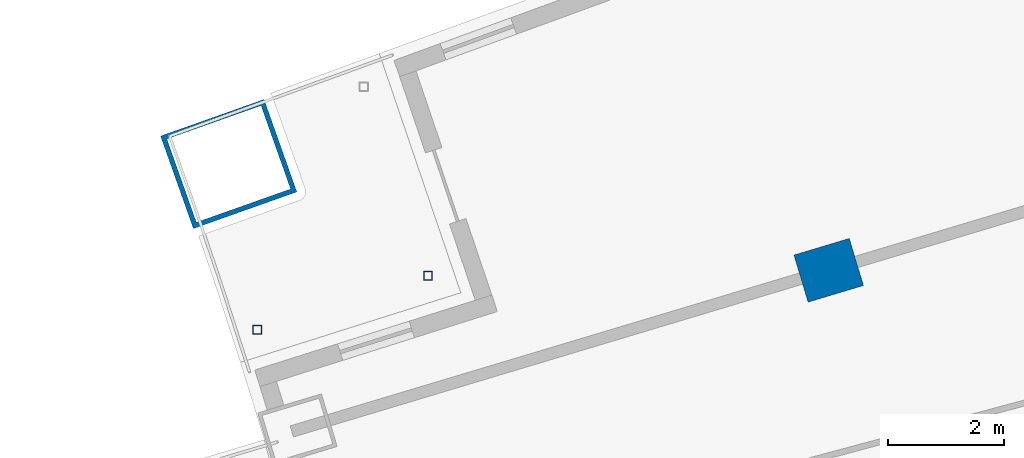
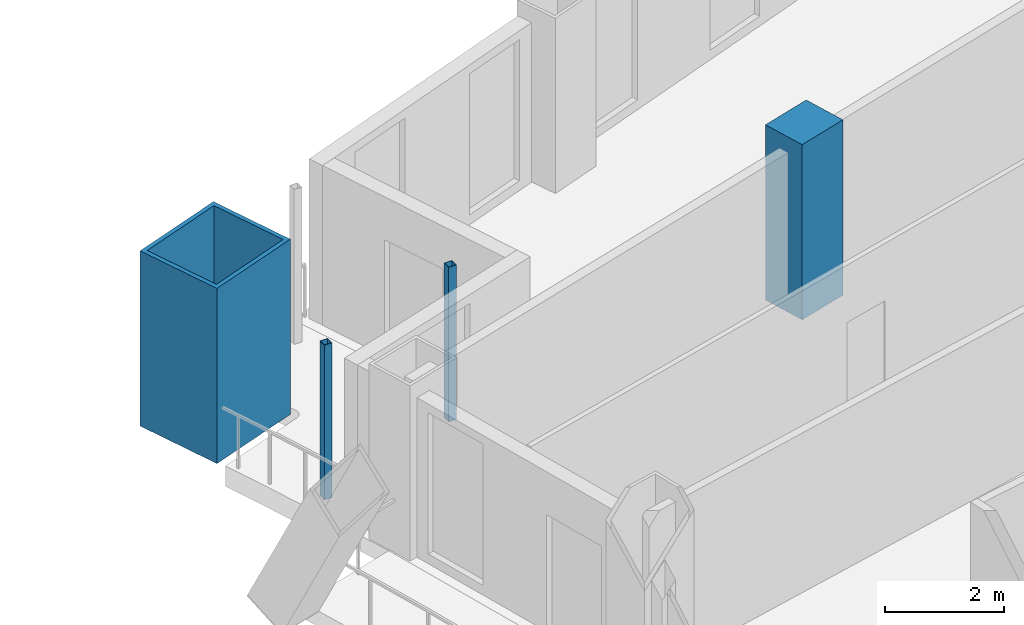
# One storey, part 7 of 25: 4 columns.
"""IFC4 building model written with IfcOpenShell, lengths in metres."""

from ifc_helpers import new_model, si_unit, direction, frame, origin, origin_2d, place, context, subcontext, project, spatial, rectangle, hollow_rectangle, extrude, material, material_profile, profile_set, type_object, element, save


model = new_model("IFC4")

# Units and contexts
model_context = context("Model", 3, precision=1e-05, world=origin(), true_north=direction((0.0, 1.0)))
body_context = subcontext(model_context, "Body", "Model", "MODEL_VIEW")
ifc_project = project(units=[si_unit("LENGTHUNIT", "METRE"), si_unit("AREAUNIT", "SQUARE_METRE"), si_unit("VOLUMEUNIT", "CUBIC_METRE"), si_unit("PLANEANGLEUNIT", "RADIAN"), si_unit("MASSUNIT", "GRAM", prefix="KILO")], contexts=[model_context])

# Site, building, storey
site_placement = place(None, origin())
site = spatial("IfcSite", under=ifc_project, at=site_placement, CompositionType="ELEMENT")
building_placement = place(site_placement, origin())
building = spatial("IfcBuilding", under=site, at=building_placement, Name="Alderwake Tower", CompositionType="ELEMENT")
storey_placement = place(building_placement, frame((0.0, 0.0, 114.800048828125)))
storey = spatial("IfcBuildingStorey", under=building, at=storey_placement, Name="L28", CompositionType="ELEMENT", Elevation=114.800048828125)

# Columns
ifc_material_1 = material(Name="Concrete C70/85", Category="concrete")
ifc_material_profile_1 = material_profile(ifc_material_1, rectangle(XDim=0.85009765625, YDim=1.0, at=origin_2d()), Name="RC 1000X850")
ifc_profile_set_1 = profile_set([ifc_material_profile_1], Name="Concrete C70/85")
column_type_1 = type_object("IfcColumnType", Name="Interior column Z2", PredefinedType="COLUMN", material=ifc_profile_set_1)
column_1_placement = place(storey_placement, frame((21.714599609375, 91.53759765625, 0.0), z_axis=(0.0, 0.0, 1.0), x_axis=(-0.287549418125, 0.957765802342, 0.0)))
element("IfcColumn", 1, at=column_1_placement, inside=storey, type_object=column_type_1, Name="Column R12-C1", PredefinedType="COLUMN", context=body_context, shape_type="SweptSolid", body=[
    extrude(rectangle(XDim=0.85009765625, YDim=1.0, at=origin_2d()), origin(), (0.0, 0.0, 1.0), 3.599853515625),
])
ifc_material_2 = material(Name="Steel ASTM A500 Grade C", Category="steel")
ifc_material_profile_2 = material_profile(ifc_material_2, hollow_rectangle(XDim=0.15234375, YDim=0.15234375, WallThickness=0.0087890625, at=origin_2d()), Name="HSS6X6X3/8")
ifc_profile_set_2 = profile_set([ifc_material_profile_2], Name="Steel ASTM A500 Grade C")
column_type_2 = type_object("IfcColumnType", Name="Light post HSS6X6X3/8", PredefinedType="COLUMN", material=ifc_profile_set_2)
for number, where, z_axis, x_axis, name in (
    (2, (11.82568359375, 90.507080078125, 0.0), (0.0, 0.0, 1.0), (1.0, 0.0, 0.0), "Terrace post RN1"),
    (3, (14.781494140625, 91.441650390625, 0.0), (0.0, 0.0, 1.0), (1.0, 0.0, 0.0), "Terrace post RN3"),
):
    element("IfcColumn", number, at=place(storey_placement, frame(where, z_axis=z_axis, x_axis=x_axis)), inside=storey, type_object=column_type_2, Name=name, PredefinedType="COLUMN", context=body_context, shape_type="SweptSolid", body=[
        extrude(hollow_rectangle(XDim=0.15234375, YDim=0.15234375, WallThickness=0.0087890625, at=origin_2d()), origin(), (0.0, 0.0, 1.0), 3.179931640625),
    ])
ifc_material_3 = material(Name="Steel ASTM A572 Grade 50 concrete filled C70/85", Category="concrete")
ifc_material_profile_3 = material_profile(ifc_material_3, hollow_rectangle(XDim=1.699951171875, YDim=1.89990234375, WallThickness=0.0849609375, at=origin_2d()), Name="BOX 1900X1700X85")
ifc_profile_set_3 = profile_set([ifc_material_profile_3], Name="Steel ASTM A572 Grade 50 concrete filled C70/85")
column_type_3 = type_object("IfcColumnType", Name="Mega column Z2", PredefinedType="COLUMN", material=ifc_profile_set_3)
column_2_placement = place(storey_placement, frame((11.330810546875, 93.377197265625, 0.0), z_axis=(0.0, 0.0, 1.0), x_axis=(-0.334130947791, 0.942526662609, 0.0)))
element("IfcColumn", 4, at=column_2_placement, inside=storey, type_object=column_type_3, Name="Column R13-C0", PredefinedType="COLUMN", context=body_context, shape_type="SweptSolid", body=[
    extrude(hollow_rectangle(XDim=1.699951171875, YDim=1.89990234375, WallThickness=0.0849609375, at=origin_2d()), origin(), (0.0, 0.0, 1.0), 3.599853515625),
])

save(model, "model.ifc")
